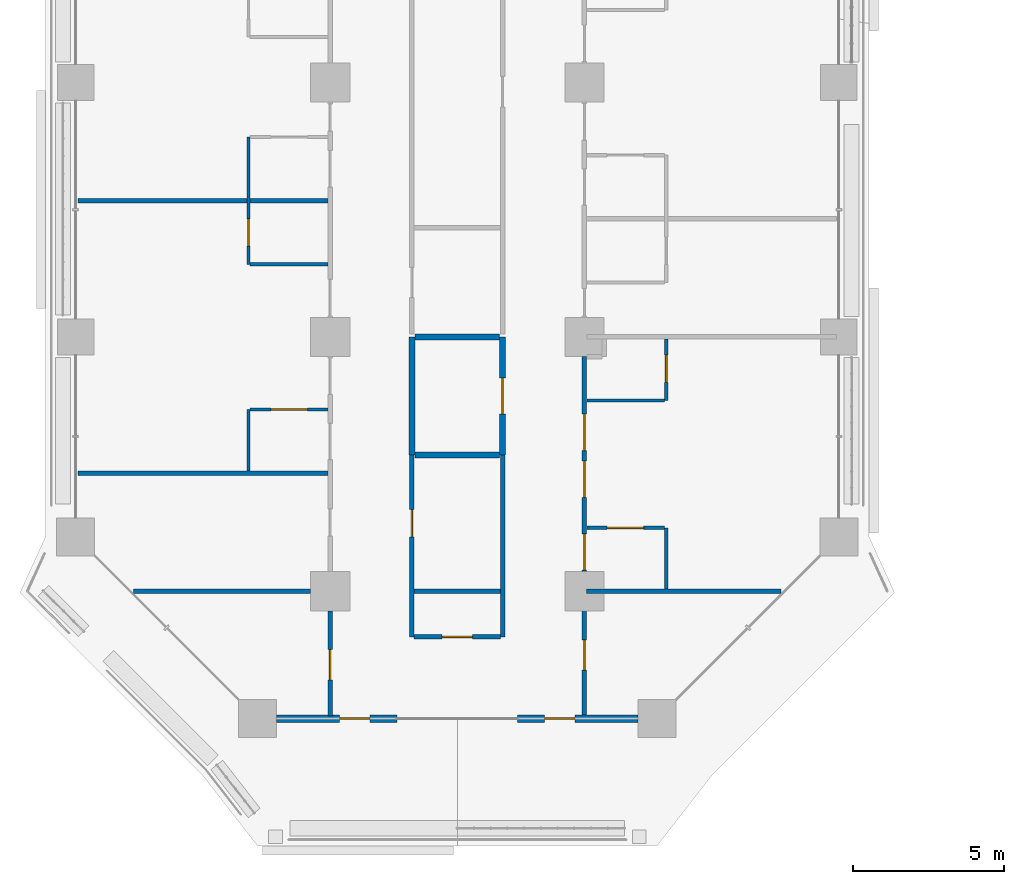
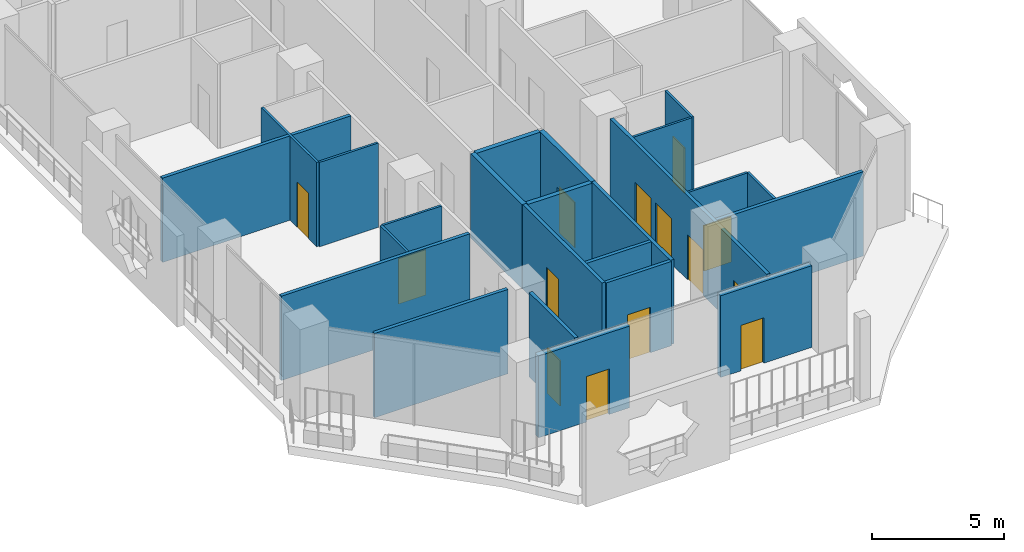
# One storey, part 13 of 29: 24 walls, 14 doors, 14 openings.
"""IFC4 building model written with IfcOpenShell, lengths in metres."""

from ifc_helpers import new_model, si_unit, direction, frame, frame_2d, origin, place, context, subcontext, project, spatial, rectangle, extrude, material, layer, layer_set, type_object, element, fill, save


model = new_model("IFC4")

# Units and contexts
model_context = context("Model", 3, precision=1e-05, world=origin(), true_north=direction((0.0, 1.0)))
body_context = subcontext(model_context, "Body", "Model", "MODEL_VIEW")
ifc_project = project(units=[si_unit("LENGTHUNIT", "METRE"), si_unit("AREAUNIT", "SQUARE_METRE"), si_unit("VOLUMEUNIT", "CUBIC_METRE"), si_unit("PLANEANGLEUNIT", "RADIAN"), si_unit("MASSUNIT", "GRAM", prefix="KILO")], contexts=[model_context])

# Site, building, storey
site_placement = place(None, origin())
site = spatial("IfcSite", under=ifc_project, at=site_placement, CompositionType="ELEMENT")
building_placement = place(site_placement, origin())
building = spatial("IfcBuilding", under=site, at=building_placement, Name="Kawkab Arch Medical Tower", CompositionType="ELEMENT")
storey_placement = place(building_placement, frame((0.0, 0.0, 60.199951171875)))
storey = spatial("IfcBuildingStorey", under=building, at=storey_placement, Name="L13", CompositionType="ELEMENT", Elevation=60.199951171875)

# Wall, opening, door
ifc_material_1 = material(Name="Bronze clad insulated wall panel")
ifc_layer_1 = layer(ifc_material_1, 0.25)
ifc_layer_set_1 = layer_set([ifc_layer_1], Name="Bronze clad insulated wall panel")
wall_type_1 = type_object("IfcWallType", Name="External wall bay 250", PredefinedType="SOLIDWALL", material=ifc_layer_set_1)
wall_1_placement = place(storey_placement, frame((6.625, -71.39990234375, 0.0), z_axis=(0.0, 0.0, 1.0), x_axis=(1.0, 0.0, 0.0)))
wall_1 = element("IfcWall", 1, at=wall_1_placement, inside=storey, type_object=wall_type_1, Name="External wall bay L13.R03.1.1", PredefinedType="SOLIDWALL", context=body_context, shape_type="SweptSolid", body=[
    extrude(rectangle(XDim=3.9833984375, YDim=0.25, at=frame_2d((1.99169921875, 0.0))), origin(), (0.0, 0.0, 1.0), 3.780029296875),
])
opening_1_placement = place(wall_1_placement, frame((2.091796875, 0.0, 0.0)))
opening_1 = element("IfcOpeningElement", 2, at=opening_1_placement, cuts=wall_1, Name="Opening W13A-701", PredefinedType="OPENING", context=body_context, shape_type="SweptSolid", body=[
    extrude(rectangle(XDim=1.0, YDim=2.10009765625, at=frame_2d((0.5, 1.050048828125))), frame((0.0, 0.135009765625, 0.0), z_axis=(0.0, -1.0, 0.0), x_axis=(1.0, 0.0, 0.0)), (0.0, 0.0, 1.0), 0.27001953125),
])
ifc_material_2 = material(Name="Bronze anodised aluminium door with tinted glass", Category="aluminium")
door_type_1 = type_object("IfcDoorType", Name="Single external door 1000 x 2100", OperationType="SINGLE_SWING_LEFT", PredefinedType="DOOR", material=ifc_material_2)
door_1_placement = place(opening_1_placement, origin())
door_1 = element("IfcDoor", 3, at=door_1_placement, inside=storey, type_object=door_type_1, Name="External door L13.R03.1.1", OperationType="SINGLE_SWING_LEFT", OverallHeight=2.10009765625, OverallWidth=1.0, PredefinedType="DOOR", context=body_context, shape_type="SweptSolid", body=[
    extrude(rectangle(XDim=1.0, YDim=2.10009765625, at=frame_2d((0.5, 1.050048828125))), frame((0.0, 0.02490234375, 0.0), z_axis=(0.0, -1.0, 0.0), x_axis=(1.0, 0.0, 0.0)), (0.0, 0.0, 1.0), 0.050048828125),
])
fill(opening_1, door_1)

wall_2_placement = place(storey_placement, frame((14.591552734375, -71.39990234375, 0.0), z_axis=(0.0, 0.0, 1.0), x_axis=(1.0, 0.0, 0.0)))
wall_2 = element("IfcWall", 4, at=wall_2_placement, inside=storey, type_object=wall_type_1, Name="External wall bay L13.R03.1.3", PredefinedType="SOLIDWALL", context=body_context, shape_type="SweptSolid", body=[
    extrude(rectangle(XDim=3.9833984375, YDim=0.25, at=frame_2d((1.99169921875, 0.0))), origin(), (0.0, 0.0, 1.0), 3.780029296875),
])
opening_2_placement = place(wall_2_placement, frame((0.8916015625, 0.0, 0.0)))
opening_2 = element("IfcOpeningElement", 5, at=opening_2_placement, cuts=wall_2, Name="Opening W13A-701", PredefinedType="OPENING", context=body_context, shape_type="SweptSolid", body=[
    extrude(rectangle(XDim=1.0, YDim=2.10009765625, at=frame_2d((0.5, 1.050048828125))), frame((0.0, 0.135009765625, 0.0), z_axis=(0.0, -1.0, 0.0), x_axis=(1.0, 0.0, 0.0)), (0.0, 0.0, 1.0), 0.27001953125),
])
door_2_placement = place(opening_2_placement, origin())
door_2 = element("IfcDoor", 6, at=door_2_placement, inside=storey, type_object=door_type_1, Name="External door L13.R03.1.3", OperationType="SINGLE_SWING_LEFT", OverallHeight=2.10009765625, OverallWidth=1.0, PredefinedType="DOOR", context=body_context, shape_type="SweptSolid", body=[
    extrude(rectangle(XDim=1.0, YDim=2.10009765625, at=frame_2d((0.5, 1.050048828125))), frame((0.0, 0.02490234375, 0.0), z_axis=(0.0, -1.0, 0.0), x_axis=(1.0, 0.0, 0.0)), (0.0, 0.0, 1.0), 0.050048828125),
])
fill(opening_2, door_2)

ifc_material_3 = material(Name="Gypsum board partition on steel studs", Category="steel")
ifc_layer_2 = layer(ifc_material_3, 0.10009765625)
ifc_layer_set_2 = layer_set([ifc_layer_2], Name="Gypsum board partition on steel studs")
wall_type_2 = type_object("IfcWallType", Name="Partition 100", PredefinedType="PARTITIONING", material=ifc_layer_set_2)
wall_3_placement = place(storey_placement, frame((16.875, -65.10009765625, 0.0), z_axis=(0.0, 0.0, 1.0), x_axis=(1.0, 0.0, 0.0)))
wall_3 = element("IfcWall", 7, at=wall_3_placement, inside=storey, type_object=wall_type_2, Name="Partition 100 w001", PredefinedType="PARTITIONING", context=body_context, shape_type="SweptSolid", body=[
    extrude(rectangle(XDim=2.574951171875, YDim=0.10009765625, at=frame_2d((1.28759765625, 0.0))), origin(), (0.0, 0.0, 1.0), 3.900146484375),
])
opening_3_placement = place(wall_3_placement, frame((0.675048828125, 0.0, 0.0)))
opening_3 = element("IfcOpeningElement", 8, at=opening_3_placement, cuts=wall_3, Name="Opening W13A-085", PredefinedType="OPENING", context=body_context, shape_type="SweptSolid", body=[
    extrude(rectangle(XDim=1.199951171875, YDim=2.10009765625, at=frame_2d((0.60009765625, 1.050048828125))), frame((0.0, 0.06005859375, 0.0), z_axis=(0.0, -1.0, 0.0), x_axis=(1.0, 0.0, 0.0)), (0.0, 0.0, 1.0), 0.1201171875),
])
ifc_material_4 = material(Name="Timber door leaf", Category="wood")
door_type_2 = type_object("IfcDoorType", Name="Single door 1200x2100", OperationType="NOTDEFINED", PredefinedType="DOOR", material=ifc_material_4)
door_3_placement = place(opening_3_placement, origin())
door_3 = element("IfcDoor", 9, at=door_3_placement, inside=storey, type_object=door_type_2, Name="Door W13A-085", OperationType="SINGLE_SWING_LEFT", OverallHeight=2.10009765625, OverallWidth=1.199951171875, PredefinedType="DOOR", context=body_context, shape_type="SweptSolid", body=[
    extrude(rectangle(XDim=1.199951171875, YDim=2.10009765625, at=frame_2d((0.60009765625, 1.050048828125))), frame((0.0, 0.02490234375, 0.0), z_axis=(0.0, -1.0, 0.0), x_axis=(1.0, 0.0, 0.0)), (0.0, 0.0, 1.0), 0.050048828125),
])
fill(opening_3, door_3)

wall_4_placement = place(storey_placement, frame((5.75, -61.199951171875, 0.0), z_axis=(0.0, 0.0, 1.0), x_axis=(1.0, 0.0, 0.0)))
wall_4 = element("IfcWall", 10, at=wall_4_placement, inside=storey, type_object=wall_type_2, Name="Partition 100 w002", PredefinedType="PARTITIONING", context=body_context, shape_type="SweptSolid", body=[
    extrude(rectangle(XDim=2.574951171875, YDim=0.10009765625, at=frame_2d((1.28759765625, 0.0))), origin(), (0.0, 0.0, 1.0), 3.900146484375),
])
opening_4_placement = place(wall_4_placement, frame((0.699951171875, 0.0, 0.0)))
opening_4 = element("IfcOpeningElement", 11, at=opening_4_placement, cuts=wall_4, Name="Opening W13A-074", PredefinedType="OPENING", context=body_context, shape_type="SweptSolid", body=[
    extrude(rectangle(XDim=1.199951171875, YDim=2.10009765625, at=frame_2d((0.60009765625, 1.050048828125))), frame((0.0, 0.06005859375, 0.0), z_axis=(0.0, -1.0, 0.0), x_axis=(1.0, 0.0, 0.0)), (0.0, 0.0, 1.0), 0.1201171875),
])
door_4_placement = place(opening_4_placement, origin())
door_4 = element("IfcDoor", 12, at=door_4_placement, inside=storey, type_object=door_type_2, Name="Door W13A-074", OperationType="SINGLE_SWING_RIGHT", OverallHeight=2.10009765625, OverallWidth=1.199951171875, PredefinedType="DOOR", context=body_context, shape_type="SweptSolid", body=[
    extrude(rectangle(XDim=1.199951171875, YDim=2.10009765625, at=frame_2d((0.60009765625, 1.050048828125))), frame((0.0, 0.02490234375, 0.0), z_axis=(0.0, -1.0, 0.0), x_axis=(1.0, 0.0, 0.0)), (0.0, 0.0, 1.0), 0.050048828125),
])
fill(opening_4, door_4)

# Walls
for number, where, z_axis, x_axis, name in (
    (13, (16.875, -60.89990234375, 0.0), (0.0, 0.0, 1.0), (1.0, 0.0, 0.0), "Partition 100 w003"),
    (14, (5.75, -56.39990234375, 0.0), (0.0, 0.0, 1.0), (1.0, 0.0, 0.0), "Partition 100 w005"),
):
    element("IfcWall", number, at=place(storey_placement, frame(where, z_axis=z_axis, x_axis=x_axis)), inside=storey, type_object=wall_type_2, Name=name, PredefinedType="PARTITIONING", context=body_context, shape_type="SweptSolid", body=[
        extrude(rectangle(XDim=2.574951171875, YDim=0.10009765625, at=frame_2d((1.28759765625, 0.0))), origin(), (0.0, 0.0, 1.0), 3.900146484375),
    ])
wall_5_placement = place(storey_placement, frame((5.699951171875, -63.22509765625, 0.0), z_axis=(0.0, 0.0, 1.0), x_axis=(0.0, 1.0, 0.0)))
element("IfcWall", 15, at=wall_5_placement, inside=storey, type_object=wall_type_2, Name="Partition 100 w021", PredefinedType="PARTITIONING", context=body_context, shape_type="SweptSolid", body=[
    extrude(rectangle(XDim=2.025146484375, YDim=0.10009765625, at=frame_2d((1.0126953125, 0.0))), origin(), (0.0, 0.0, 1.0), 3.900146484375),
])

# Wall, opening, door
wall_6_placement = place(storey_placement, frame((5.699951171875, -56.39990234375, 0.0), z_axis=(0.0, 0.0, 1.0), x_axis=(0.0, 1.0, 0.0)))
wall_6 = element("IfcWall", 16, at=wall_6_placement, inside=storey, type_object=wall_type_2, Name="Partition 100 w022", PredefinedType="PARTITIONING", context=body_context, shape_type="SweptSolid", body=[
    extrude(rectangle(XDim=4.199951171875, YDim=0.10009765625, at=frame_2d((2.10009765625, 0.0))), origin(), (0.0, 0.0, 1.0), 3.900146484375),
])
opening_5_placement = place(wall_6_placement, frame((0.60009765625, 0.0, 0.0)))
opening_5 = element("IfcOpeningElement", 17, at=opening_5_placement, cuts=wall_6, Name="Opening W13A-011", PredefinedType="OPENING", context=body_context, shape_type="SweptSolid", body=[
    extrude(rectangle(XDim=0.89990234375, YDim=2.10009765625, at=frame_2d((0.449951171875, 1.050048828125))), frame((0.0, 0.06005859375, 0.0), z_axis=(0.0, -1.0, 0.0), x_axis=(1.0, 0.0, 0.0)), (0.0, 0.0, 1.0), 0.1201171875),
])
ifc_material_5 = material(Name="Timber door leaf", Category="wood")
door_type_3 = type_object("IfcDoorType", Name="Single door 900x2100", OperationType="NOTDEFINED", PredefinedType="DOOR", material=ifc_material_5)
door_5_placement = place(opening_5_placement, origin())
door_5 = element("IfcDoor", 18, at=door_5_placement, inside=storey, type_object=door_type_3, Name="Door W13A-011", OperationType="SINGLE_SWING_LEFT", OverallHeight=2.10009765625, OverallWidth=0.89990234375, PredefinedType="DOOR", context=body_context, shape_type="SweptSolid", body=[
    extrude(rectangle(XDim=0.89990234375, YDim=2.10009765625, at=frame_2d((0.449951171875, 1.050048828125))), frame((0.0, 0.02490234375, 0.0), z_axis=(0.0, -1.0, 0.0), x_axis=(1.0, 0.0, 0.0)), (0.0, 0.0, 1.0), 0.050048828125),
])
fill(opening_5, door_5)

# Wall
wall_7_placement = place(storey_placement, frame((19.5, -67.125, 0.0), z_axis=(0.0, 0.0, 1.0), x_axis=(0.0, 1.0, 0.0)))
element("IfcWall", 19, at=wall_7_placement, inside=storey, type_object=wall_type_2, Name="Partition 100 w024", PredefinedType="PARTITIONING", context=body_context, shape_type="SweptSolid", body=[
    extrude(rectangle(XDim=2.02490234375, YDim=0.10009765625, at=frame_2d((1.012451171875, 0.0))), origin(), (0.0, 0.0, 1.0), 3.900146484375),
])

# Wall, opening, door
wall_8_placement = place(storey_placement, frame((19.5, -60.89990234375, 0.0), z_axis=(0.0, 0.0, 1.0), x_axis=(0.0, 1.0, 0.0)))
wall_8 = element("IfcWall", 20, at=wall_8_placement, inside=storey, type_object=wall_type_2, Name="Partition 100 w025", PredefinedType="PARTITIONING", context=body_context, shape_type="SweptSolid", body=[
    extrude(rectangle(XDim=2.02490234375, YDim=0.10009765625, at=frame_2d((1.012451171875, 0.0))), origin(), (0.0, 0.0, 1.0), 3.900146484375),
])
opening_6_placement = place(wall_8_placement, frame((0.60009765625, 0.0, 0.0)))
opening_6 = element("IfcOpeningElement", 21, at=opening_6_placement, cuts=wall_8, Name="Opening W13A-017", PredefinedType="OPENING", context=body_context, shape_type="SweptSolid", body=[
    extrude(rectangle(XDim=0.89990234375, YDim=2.10009765625, at=frame_2d((0.449951171875, 1.050048828125))), frame((0.0, 0.06005859375, 0.0), z_axis=(0.0, -1.0, 0.0), x_axis=(1.0, 0.0, 0.0)), (0.0, 0.0, 1.0), 0.1201171875),
])
door_6_placement = place(opening_6_placement, origin())
door_6 = element("IfcDoor", 22, at=door_6_placement, inside=storey, type_object=door_type_3, Name="Door W13A-017", OperationType="SINGLE_SWING_LEFT", OverallHeight=2.10009765625, OverallWidth=0.89990234375, PredefinedType="DOOR", context=body_context, shape_type="SweptSolid", body=[
    extrude(rectangle(XDim=0.89990234375, YDim=2.10009765625, at=frame_2d((0.449951171875, 1.050048828125))), frame((0.0, 0.02490234375, 0.0), z_axis=(0.0, -1.0, 0.0), x_axis=(1.0, 0.0, 0.0)), (0.0, 0.0, 1.0), 0.050048828125),
])
fill(opening_6, door_6)

ifc_material_6 = material(Name="Gypsum board partition on steel studs, mineral wool", Category="steel")
ifc_layer_3 = layer(ifc_material_6, 0.14990234375)
ifc_layer_set_3 = layer_set([ifc_layer_3], Name="Gypsum board partition on steel studs, mineral wool")
wall_type_3 = type_object("IfcWallType", Name="Partition 150", PredefinedType="PARTITIONING", material=ifc_layer_set_3)
wall_9_placement = place(storey_placement, frame((11.175048828125, -68.699951171875, 0.0), z_axis=(0.0, 0.0, 1.0), x_axis=(1.0, 0.0, 0.0)))
wall_9 = element("IfcWall", 23, at=wall_9_placement, inside=storey, type_object=wall_type_3, Name="Partition 150 w043", PredefinedType="PARTITIONING", context=body_context, shape_type="SweptSolid", body=[
    extrude(rectangle(XDim=2.849853515625, YDim=0.14990234375, at=frame_2d((1.4248046875, 0.0))), origin(), (0.0, 0.0, 1.0), 3.900146484375),
])
opening_7_placement = place(wall_9_placement, frame((0.925048828125, 0.0, 0.0)))
opening_7 = element("IfcOpeningElement", 24, at=opening_7_placement, cuts=wall_9, Name="Opening W13A-037", PredefinedType="OPENING", context=body_context, shape_type="SweptSolid", body=[
    extrude(rectangle(XDim=1.0, YDim=2.10009765625, at=frame_2d((0.5, 1.050048828125))), frame((0.0, 0.0849609375, 0.0), z_axis=(0.0, -1.0, 0.0), x_axis=(1.0, 0.0, 0.0)), (0.0, 0.0, 1.0), 0.169921875),
])
ifc_material_7 = material(Name="Hollow metal door leaf")
door_type_4 = type_object("IfcDoorType", Name="Single door 1000x2100 FD30S", OperationType="NOTDEFINED", PredefinedType="DOOR", material=ifc_material_7)
door_7_placement = place(opening_7_placement, origin())
door_7 = element("IfcDoor", 25, at=door_7_placement, inside=storey, type_object=door_type_4, Name="Door W13A-037", OperationType="SINGLE_SWING_LEFT", OverallHeight=2.10009765625, OverallWidth=1.0, PredefinedType="DOOR", context=body_context, shape_type="SweptSolid", body=[
    extrude(rectangle(XDim=1.0, YDim=2.10009765625, at=frame_2d((0.5, 1.050048828125))), frame((0.0, 0.02490234375, 0.0), z_axis=(0.0, -1.0, 0.0), x_axis=(1.0, 0.0, 0.0)), (0.0, 0.0, 1.0), 0.050048828125),
])
fill(opening_7, door_7)

# Walls
wall_10_placement = place(storey_placement, frame((1.9130859375, -67.199951171875, 0.0), z_axis=(0.0, 0.0, 1.0), x_axis=(1.0, 0.0, 0.0)))
element("IfcWall", 26, at=wall_10_placement, inside=storey, type_object=wall_type_3, Name="Partition 150 w044", PredefinedType="PARTITIONING", context=body_context, shape_type="SweptSolid", body=[
    extrude(rectangle(XDim=5.8369140625, YDim=0.14990234375, at=frame_2d((2.91845703125, 0.0))), origin(), (0.0, 0.0, 1.0), 3.900146484375),
])
wall_11_placement = place(storey_placement, frame((11.175048828125, -67.199951171875, 0.0), z_axis=(0.0, 0.0, 1.0), x_axis=(1.0, 0.0, 0.0)))
element("IfcWall", 27, at=wall_11_placement, inside=storey, type_object=wall_type_3, Name="Partition 150 w045", PredefinedType="PARTITIONING", context=body_context, shape_type="SweptSolid", body=[
    extrude(rectangle(XDim=2.849853515625, YDim=0.14990234375, at=frame_2d((1.4248046875, 0.0))), origin(), (0.0, 0.0, 1.0), 3.900146484375),
])
wall_12_placement = place(storey_placement, frame((16.875, -67.199951171875, 0.0), z_axis=(0.0, 0.0, 1.0), x_axis=(1.0, 0.0, 0.0)))
element("IfcWall", 28, at=wall_12_placement, inside=storey, type_object=wall_type_3, Name="Partition 150 w046", PredefinedType="PARTITIONING", context=body_context, shape_type="SweptSolid", body=[
    extrude(rectangle(XDim=6.412109375, YDim=0.14990234375, at=frame_2d((3.2060546875, 0.0))), origin(), (0.0, 0.0, 1.0), 3.900146484375),
])
for number, where, z_axis, x_axis, name in (
    (29, (0.080078125, -63.300048828125, 0.0), (0.0, 0.0, 1.0), (1.0, 0.0, 0.0), "Partition 150 w047"),
    (30, (0.080078125, -54.300048828125, 0.0), (0.0, 0.0, 1.0), (1.0, 0.0, 0.0), "Partition 150 w052"),
):
    element("IfcWall", number, at=place(storey_placement, frame(where, z_axis=z_axis, x_axis=x_axis)), inside=storey, type_object=wall_type_3, Name=name, PredefinedType="PARTITIONING", context=body_context, shape_type="SweptSolid", body=[
        extrude(rectangle(XDim=8.244873046875, YDim=0.14990234375, at=frame_2d((4.12255859375, 0.0))), origin(), (0.0, 0.0, 1.0), 3.900146484375),
    ])

# Wall, opening, door
wall_13_placement = place(storey_placement, frame((8.39990234375, -71.320068359375, 0.0), z_axis=(0.0, 0.0, 1.0), x_axis=(0.0, 1.0, 0.0)))
wall_13 = element("IfcWall", 31, at=wall_13_placement, inside=storey, type_object=wall_type_3, Name="Partition 150 w085", PredefinedType="PARTITIONING", context=body_context, shape_type="SweptSolid", body=[
    extrude(rectangle(XDim=3.469970703125, YDim=0.14990234375, at=frame_2d((1.73486328125, 0.0))), origin(), (0.0, 0.0, 1.0), 3.900146484375),
])
opening_8_placement = place(wall_13_placement, frame((1.195068359375, 0.0, 0.0)))
opening_8 = element("IfcOpeningElement", 32, at=opening_8_placement, cuts=wall_13, Name="Opening W13A-032", PredefinedType="OPENING", context=body_context, shape_type="SweptSolid", body=[
    extrude(rectangle(XDim=1.0, YDim=2.10009765625, at=frame_2d((0.5, 1.050048828125))), frame((0.0, 0.0849609375, 0.0), z_axis=(0.0, -1.0, 0.0), x_axis=(1.0, 0.0, 0.0)), (0.0, 0.0, 1.0), 0.169921875),
])
door_8_placement = place(opening_8_placement, origin())
door_8 = element("IfcDoor", 33, at=door_8_placement, inside=storey, type_object=door_type_4, Name="Door W13A-032", OperationType="SINGLE_SWING_LEFT", OverallHeight=2.10009765625, OverallWidth=1.0, PredefinedType="DOOR", context=body_context, shape_type="SweptSolid", body=[
    extrude(rectangle(XDim=1.0, YDim=2.10009765625, at=frame_2d((0.5, 1.050048828125))), frame((0.0, 0.02490234375, 0.0), z_axis=(0.0, -1.0, 0.0), x_axis=(1.0, 0.0, 0.0)), (0.0, 0.0, 1.0), 0.050048828125),
])
fill(opening_8, door_8)

wall_14_placement = place(storey_placement, frame((11.10009765625, -68.699951171875, 0.0), z_axis=(0.0, 0.0, 1.0), x_axis=(0.0, 1.0, 0.0)))
wall_14 = element("IfcWall", 34, at=wall_14_placement, inside=storey, type_object=wall_type_3, Name="Partition 150 w088", PredefinedType="PARTITIONING", context=body_context, shape_type="SweptSolid", body=[
    extrude(rectangle(XDim=6.0, YDim=0.14990234375, at=frame_2d((3.0, 0.0))), origin(), (0.0, 0.0, 1.0), 3.900146484375),
])
opening_9_placement = place(wall_14_placement, frame((3.300048828125, 0.0, 0.0)))
opening_9 = element("IfcOpeningElement", 35, at=opening_9_placement, cuts=wall_14, Name="Opening W13A-013", PredefinedType="OPENING", context=body_context, shape_type="SweptSolid", body=[
    extrude(rectangle(XDim=0.89990234375, YDim=2.10009765625, at=frame_2d((0.449951171875, 1.050048828125))), frame((0.0, 0.0849609375, 0.0), z_axis=(0.0, -1.0, 0.0), x_axis=(1.0, 0.0, 0.0)), (0.0, 0.0, 1.0), 0.169921875),
])
door_9_placement = place(opening_9_placement, origin())
door_9 = element("IfcDoor", 36, at=door_9_placement, inside=storey, type_object=door_type_3, Name="Door W13A-013", OperationType="SINGLE_SWING_LEFT", OverallHeight=2.10009765625, OverallWidth=0.89990234375, PredefinedType="DOOR", context=body_context, shape_type="SweptSolid", body=[
    extrude(rectangle(XDim=0.89990234375, YDim=2.10009765625, at=frame_2d((0.449951171875, 1.050048828125))), frame((0.0, 0.02490234375, 0.0), z_axis=(0.0, -1.0, 0.0), x_axis=(1.0, 0.0, 0.0)), (0.0, 0.0, 1.0), 0.050048828125),
])
fill(opening_9, door_9)

# Wall
wall_15_placement = place(storey_placement, frame((14.10009765625, -68.699951171875, 0.0), z_axis=(0.0, 0.0, 1.0), x_axis=(0.0, 1.0, 0.0)))
element("IfcWall", 37, at=wall_15_placement, inside=storey, type_object=wall_type_3, Name="Partition 150 w090", PredefinedType="PARTITIONING", context=body_context, shape_type="SweptSolid", body=[
    extrude(rectangle(XDim=6.0, YDim=0.14990234375, at=frame_2d((3.0, 0.0))), origin(), (0.0, 0.0, 1.0), 3.900146484375),
])

# Wall, openings, doors
wall_16_placement = place(storey_placement, frame((16.800048828125, -71.320068359375, 0.0), z_axis=(0.0, 0.0, 1.0), x_axis=(0.0, 1.0, 0.0)))
wall_16 = element("IfcWall", 38, at=wall_16_placement, inside=storey, type_object=wall_type_3, Name="Partition 150 w092", PredefinedType="PARTITIONING", context=body_context, shape_type="SweptSolid", body=[
    extrude(rectangle(XDim=11.8681640625, YDim=0.14990234375, at=frame_2d((5.93408203125, 0.0))), origin(), (0.0, 0.0, 1.0), 3.900146484375),
])
opening_10_placement = place(wall_16_placement, frame((8.77001953125, 0.0, 0.0)))
opening_10 = element("IfcOpeningElement", 39, at=opening_10_placement, cuts=wall_16, Name="Opening W13A-082", PredefinedType="OPENING", context=body_context, shape_type="SweptSolid", body=[
    extrude(rectangle(XDim=1.199951171875, YDim=2.10009765625, at=frame_2d((0.60009765625, 1.050048828125))), frame((0.0, 0.0849609375, 0.0), z_axis=(0.0, -1.0, 0.0), x_axis=(1.0, 0.0, 0.0)), (0.0, 0.0, 1.0), 0.169921875),
])
opening_11_placement = place(wall_16_placement, frame((7.219970703125, 0.0, 0.0)))
opening_11 = element("IfcOpeningElement", 40, at=opening_11_placement, cuts=wall_16, Name="Opening W13A-083", PredefinedType="OPENING", context=body_context, shape_type="SweptSolid", body=[
    extrude(rectangle(XDim=1.199951171875, YDim=2.10009765625, at=frame_2d((0.60009765625, 1.050048828125))), frame((0.0, 0.0849609375, 0.0), z_axis=(0.0, -1.0, 0.0), x_axis=(1.0, 0.0, 0.0)), (0.0, 0.0, 1.0), 0.169921875),
])
opening_12_placement = place(wall_16_placement, frame((4.820068359375, 0.0, 0.0)))
opening_12 = element("IfcOpeningElement", 41, at=opening_12_placement, cuts=wall_16, Name="Opening W13A-084", PredefinedType="OPENING", context=body_context, shape_type="SweptSolid", body=[
    extrude(rectangle(XDim=1.199951171875, YDim=2.10009765625, at=frame_2d((0.60009765625, 1.050048828125))), frame((0.0, 0.0849609375, 0.0), z_axis=(0.0, -1.0, 0.0), x_axis=(1.0, 0.0, 0.0)), (0.0, 0.0, 1.0), 0.169921875),
])
opening_13_placement = place(wall_16_placement, frame((1.52001953125, 0.0, 0.0)))
opening_13 = element("IfcOpeningElement", 42, at=opening_13_placement, cuts=wall_16, Name="Opening W13A-038", PredefinedType="OPENING", context=body_context, shape_type="SweptSolid", body=[
    extrude(rectangle(XDim=1.0, YDim=2.10009765625, at=frame_2d((0.5, 1.050048828125))), frame((0.0, 0.0849609375, 0.0), z_axis=(0.0, -1.0, 0.0), x_axis=(1.0, 0.0, 0.0)), (0.0, 0.0, 1.0), 0.169921875),
])
door_10_placement = place(opening_13_placement, origin())
door_10 = element("IfcDoor", 43, at=door_10_placement, inside=storey, type_object=door_type_4, Name="Door W13A-038", OperationType="SINGLE_SWING_RIGHT", OverallHeight=2.10009765625, OverallWidth=1.0, PredefinedType="DOOR", context=body_context, shape_type="SweptSolid", body=[
    extrude(rectangle(XDim=1.0, YDim=2.10009765625, at=frame_2d((0.5, 1.050048828125))), frame((0.0, 0.02490234375, 0.0), z_axis=(0.0, -1.0, 0.0), x_axis=(1.0, 0.0, 0.0)), (0.0, 0.0, 1.0), 0.050048828125),
])
fill(opening_13, door_10)
ifc_material_8 = material(Name="Hollow metal door leaf")
door_type_5 = type_object("IfcDoorType", Name="Single door 1200x2100 FD30S", OperationType="NOTDEFINED", PredefinedType="DOOR", material=ifc_material_8)
door_11_placement = place(opening_10_placement, origin())
door_11 = element("IfcDoor", 44, at=door_11_placement, inside=storey, type_object=door_type_5, Name="Door W13A-082", OperationType="SINGLE_SWING_LEFT", OverallHeight=2.10009765625, OverallWidth=1.199951171875, PredefinedType="DOOR", context=body_context, shape_type="SweptSolid", body=[
    extrude(rectangle(XDim=1.199951171875, YDim=2.10009765625, at=frame_2d((0.60009765625, 1.050048828125))), frame((0.0, 0.02490234375, 0.0), z_axis=(0.0, -1.0, 0.0), x_axis=(1.0, 0.0, 0.0)), (0.0, 0.0, 1.0), 0.050048828125),
])
fill(opening_10, door_11)
door_12_placement = place(opening_11_placement, origin())
door_12 = element("IfcDoor", 45, at=door_12_placement, inside=storey, type_object=door_type_5, Name="Door W13A-083", OperationType="SINGLE_SWING_LEFT", OverallHeight=2.10009765625, OverallWidth=1.199951171875, PredefinedType="DOOR", context=body_context, shape_type="SweptSolid", body=[
    extrude(rectangle(XDim=1.199951171875, YDim=2.10009765625, at=frame_2d((0.60009765625, 1.050048828125))), frame((0.0, 0.02490234375, 0.0), z_axis=(0.0, -1.0, 0.0), x_axis=(1.0, 0.0, 0.0)), (0.0, 0.0, 1.0), 0.050048828125),
])
fill(opening_11, door_12)
door_13_placement = place(opening_12_placement, origin())
door_13 = element("IfcDoor", 46, at=door_13_placement, inside=storey, type_object=door_type_5, Name="Door W13A-084", OperationType="SINGLE_SWING_RIGHT", OverallHeight=2.10009765625, OverallWidth=1.199951171875, PredefinedType="DOOR", context=body_context, shape_type="SweptSolid", body=[
    extrude(rectangle(XDim=1.199951171875, YDim=2.10009765625, at=frame_2d((0.60009765625, 1.050048828125))), frame((0.0, 0.02490234375, 0.0), z_axis=(0.0, -1.0, 0.0), x_axis=(1.0, 0.0, 0.0)), (0.0, 0.0, 1.0), 0.050048828125),
])
fill(opening_12, door_13)

# Walls
ifc_material_9 = material(Name="Fire-rated gypsum board partition on steel studs", Category="steel")
ifc_layer_4 = layer(ifc_material_9, 0.199951171875)
ifc_layer_set_4 = layer_set([ifc_layer_4], Name="Fire-rated gypsum board partition on steel studs")
wall_type_4 = type_object("IfcWallType", Name="Protected partition 200", PredefinedType="PARTITIONING", material=ifc_layer_set_4)
for number, where, z_axis, x_axis, name in (
    (47, (11.199951171875, -62.699951171875, 0.0), (0.0, 0.0, 1.0), (1.0, 0.0, 0.0), "Protected partition 200 w120"),
    (48, (11.199951171875, -58.800048828125, 0.0), (0.0, 0.0, 1.0), (1.0, 0.0, 0.0), "Protected partition 200 w121"),
):
    element("IfcWall", number, at=place(storey_placement, frame(where, z_axis=z_axis, x_axis=x_axis)), inside=storey, type_object=wall_type_4, Name=name, PredefinedType="PARTITIONING", context=body_context, shape_type="SweptSolid", body=[
        extrude(rectangle(XDim=2.800048828125, YDim=0.199951171875, at=frame_2d((1.39990234375, 0.0))), origin(), (0.0, 0.0, 1.0), 3.900146484375),
    ])
wall_17_placement = place(storey_placement, frame((11.10009765625, -62.699951171875, 0.0), z_axis=(0.0, 0.0, 1.0), x_axis=(0.0, 1.0, 0.0)))
element("IfcWall", 49, at=wall_17_placement, inside=storey, type_object=wall_type_4, Name="Protected partition 200 w124", PredefinedType="PARTITIONING", context=body_context, shape_type="SweptSolid", body=[
    extrude(rectangle(XDim=3.89990234375, YDim=0.199951171875, at=frame_2d((1.949951171875, 0.0))), origin(), (0.0, 0.0, 1.0), 3.900146484375),
])

# Wall, opening, door
wall_18_placement = place(storey_placement, frame((14.10009765625, -62.699951171875, 0.0), z_axis=(0.0, 0.0, 1.0), x_axis=(0.0, 1.0, 0.0)))
wall_18 = element("IfcWall", 50, at=wall_18_placement, inside=storey, type_object=wall_type_4, Name="Protected partition 200 w125", PredefinedType="PARTITIONING", context=body_context, shape_type="SweptSolid", body=[
    extrude(rectangle(XDim=3.89990234375, YDim=0.199951171875, at=frame_2d((1.949951171875, 0.0))), origin(), (0.0, 0.0, 1.0), 3.900146484375),
])
opening_14_placement = place(wall_18_placement, frame((1.35009765625, 0.0, 0.0)))
opening_14 = element("IfcOpeningElement", 51, at=opening_14_placement, cuts=wall_18, Name="Opening W13A-087", PredefinedType="OPENING", context=body_context, shape_type="SweptSolid", body=[
    extrude(rectangle(XDim=1.199951171875, YDim=2.10009765625, at=frame_2d((0.60009765625, 1.050048828125))), frame((0.0, 0.10986328125, 0.0), z_axis=(0.0, -1.0, 0.0), x_axis=(1.0, 0.0, 0.0)), (0.0, 0.0, 1.0), 0.219970703125),
])
ifc_material_10 = material(Name="Hollow metal door leaf")
door_type_6 = type_object("IfcDoorType", Name="Single door 1200x2100 FD60", OperationType="NOTDEFINED", PredefinedType="DOOR", material=ifc_material_10)
door_14_placement = place(opening_14_placement, origin())
door_14 = element("IfcDoor", 52, at=door_14_placement, inside=storey, type_object=door_type_6, Name="Door W13A-087", OperationType="SINGLE_SWING_LEFT", OverallHeight=2.10009765625, OverallWidth=1.199951171875, PredefinedType="DOOR", context=body_context, shape_type="SweptSolid", body=[
    extrude(rectangle(XDim=1.199951171875, YDim=2.10009765625, at=frame_2d((0.60009765625, 1.050048828125))), frame((0.0, 0.02490234375, 0.0), z_axis=(0.0, -1.0, 0.0), x_axis=(1.0, 0.0, 0.0)), (0.0, 0.0, 1.0), 0.050048828125),
])
fill(opening_14, door_14)

save(model, "model.ifc")
